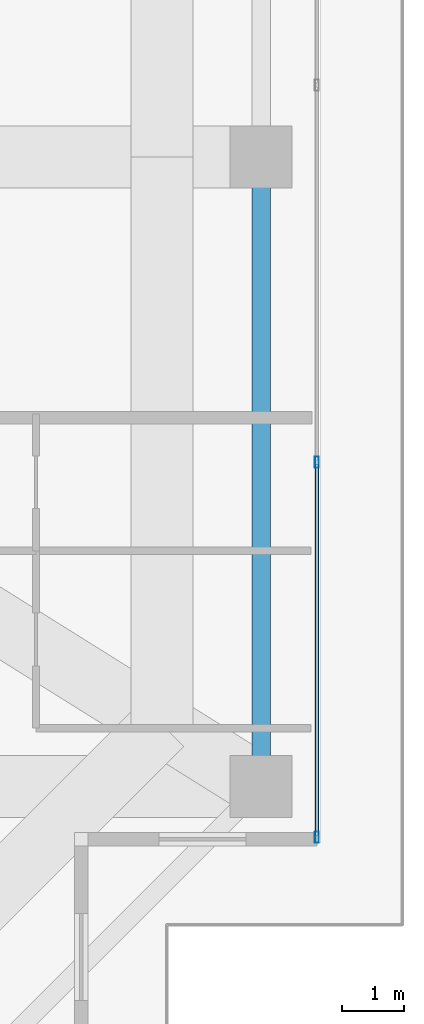
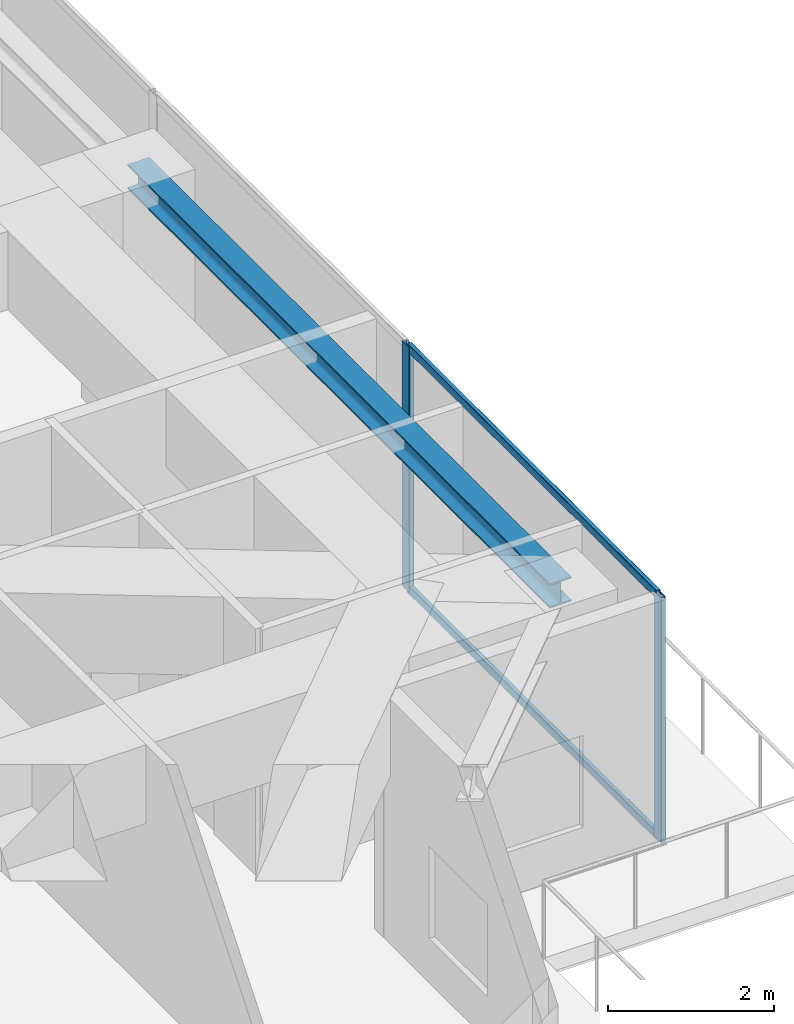
# One storey, part 17 of 40: 4 members, 1 beam, 1 element without a shape of its own.
"""IFC4 building model written with IfcOpenShell, lengths in metres."""

import ifcopenshell
import ifcopenshell.guid

model = None  # the IFC model being written
_history = None  # IfcOwnerHistory: only IFC2X3 demands one
_inside = {}  # id of a spatial element -> (the spatial element, [elements in it])
_under = {}  # id of a project, library or spatial element -> (it, [spatial elements below it])
_declared = {}  # id of a project -> (the project, [libraries it declares])
_typed = {}  # id of a type object -> (the type object, [elements of that type])
_made_of = {}  # id of a material, layer set ... -> (it, [elements and type objects made of it])


def new_model(schema):
    """Start an empty IFC model of exactly this schema.

    Asked for "IFC4X3", IfcOpenShell would pick the latest addendum, in which some entities
    have other attributes; the version numbers below select the first issue.
    IFC2X3 requires an IfcOwnerHistory on every rooted entity: one is made here for all.
    """
    global model, _history
    if schema == "IFC4X3":
        model = ifcopenshell.file(schema_version=(4, 3, 0, 0))
    else:
        model = ifcopenshell.file(schema=schema)
    _inside.clear()
    _under.clear()
    _declared.clear()
    _typed.clear()
    _made_of.clear()
    _history = None
    if model.schema == "IFC2X3":
        org = make("IfcOrganization", Name="unknown")
        user = make(
            "IfcPersonAndOrganization",
            ThePerson=make("IfcPerson", FamilyName="unknown"),
            TheOrganization=org,
        )
        app = make(
            "IfcApplication",
            ApplicationDeveloper=org,
            Version="unknown",
            ApplicationFullName="unknown",
            ApplicationIdentifier="unknown",
        )
        _history = make(
            "IfcOwnerHistory",
            OwningUser=user,
            OwningApplication=app,
            ChangeAction="ADDED",
            CreationDate=0,
        )
    return model


def make(cls, **values):
    """One entity of the class cls with the attributes given. An attribute that is None is left unset."""
    return model.create_entity(
        cls, **{name: value for name, value in values.items() if value is not None}
    )


def rooted(cls, **values):
    """An entity with a GlobalId (a new one), such as an element, a storey or a relation."""
    return make(cls, GlobalId=ifcopenshell.guid.new(), OwnerHistory=_history, **values)


def si_unit(unit_type, name, prefix=None):
    """IfcSIUnit, for example si_unit("LENGTHUNIT", "METRE", prefix="MILLI")."""
    return make("IfcSIUnit", UnitType=unit_type, Prefix=prefix, Name=name)


def assignment(units):
    """IfcUnitAssignment: the units of a project."""
    return None if units is None else make("IfcUnitAssignment", Units=units)


def point(xyz):
    """IfcCartesianPoint."""
    return None if xyz is None else make("IfcCartesianPoint", Coordinates=xyz)


def direction(xyz):
    """IfcDirection."""
    return None if xyz is None else make("IfcDirection", DirectionRatios=xyz)


def frame(location, z_axis=None, x_axis=None):
    """IfcAxis2Placement3D, a coordinate frame: its origin and axes. An axis left out is left unset."""
    return make(
        "IfcAxis2Placement3D",
        Location=point(location),
        Axis=direction(z_axis),
        RefDirection=direction(x_axis),
    )


def frame_2d(location, x_axis=None):
    """IfcAxis2Placement2D, a coordinate frame in the plane: its origin and x axis."""
    return make(
        "IfcAxis2Placement2D", Location=point(location), RefDirection=direction(x_axis)
    )


def origin():
    """The frame at (0, 0, 0) with its axes left unset."""
    return frame((0.0, 0.0, 0.0))


def origin_2d():
    """The frame at (0, 0) in the plane with its x axis left unset."""
    return frame_2d((0.0, 0.0))


def place(relative_to, where):
    """IfcLocalPlacement: puts the frame where relative to a parent placement (None: the world)."""
    return make(
        "IfcLocalPlacement", PlacementRelTo=relative_to, RelativePlacement=where
    )


def context(
    kind, dimensions, precision=None, world=None, true_north=None, identifier=None
):
    """IfcGeometricRepresentationContext, for example the 3D "Model" context."""
    return make(
        "IfcGeometricRepresentationContext",
        ContextIdentifier=identifier,
        ContextType=kind,
        CoordinateSpaceDimension=dimensions,
        Precision=precision,
        WorldCoordinateSystem=world,
        TrueNorth=true_north,
    )


def subcontext(parent, identifier, kind, view, scale=None):
    """IfcGeometricRepresentationSubContext, for example "Body" below "Model"."""
    return make(
        "IfcGeometricRepresentationSubContext",
        ContextIdentifier=identifier,
        ContextType=kind,
        ParentContext=parent,
        TargetScale=scale,
        TargetView=view,
    )


def project(units=None, contexts=None):
    """IfcProject with its units and contexts."""
    return rooted(
        "IfcProject",
        Name="project",
        RepresentationContexts=contexts,
        UnitsInContext=assignment(units),
    )


def spatial(cls, under=None, at=None, **own):
    """A site, building, storey or space (cls), placed at a placement, below another one or the project."""
    s = rooted(cls, ObjectPlacement=at, **own)
    if under is not None:
        _under.setdefault(under.id(), (under, []))[1].append(s)
    return s


def profile(cls, at=None, kind="AREA", **sizes):
    """A parametric profile (cls). Its sizes go by their IFC names, for example OverallWidth=200.0."""
    return make(cls, ProfileType=kind, Position=at, **sizes)


def hollow_rectangle(**sizes):
    """IfcRectangleHollowProfileDef."""
    return profile("IfcRectangleHollowProfileDef", **sizes)


def i_section(**sizes):
    """IfcIShapeProfileDef."""
    return profile("IfcIShapeProfileDef", **sizes)


def extrude(swept, where, along, depth):
    """IfcExtrudedAreaSolid: the profile swept, set in the frame where, extruded along a direction by depth."""
    return make(
        "IfcExtrudedAreaSolid",
        SweptArea=swept,
        Position=where,
        ExtrudedDirection=direction(along),
        Depth=depth,
    )


def shape(context_of_items, identifier, shape_type, items):
    """IfcShapeRepresentation: the items that make up one representation, for example the "Body"."""
    return make(
        "IfcShapeRepresentation",
        ContextOfItems=context_of_items,
        RepresentationIdentifier=identifier,
        RepresentationType=shape_type,
        Items=items,
    )


def source(mapping_origin, context_of_items, identifier, shape_type, items):
    """IfcRepresentationMap: a shape defined once, which mapped items show again and again."""
    return make(
        "IfcRepresentationMap",
        MappingOrigin=mapping_origin,
        MappedRepresentation=shape(context_of_items, identifier, shape_type, items),
    )


def transform(
    local_origin,
    x_axis=None,
    y_axis=None,
    z_axis=None,
    scale=None,
    scale2=None,
    scale3=None,
    uniform=True,
):
    """IfcCartesianTransformationOperator3D, or its non-uniform kind. x_axis, y_axis, z_axis: its Axis1, 2, 3."""
    if uniform:
        return make(
            "IfcCartesianTransformationOperator3D",
            Axis1=direction(x_axis),
            Axis2=direction(y_axis),
            LocalOrigin=point(local_origin),
            Scale=scale,
            Axis3=direction(z_axis),
        )
    return make(
        "IfcCartesianTransformationOperator3DnonUniform",
        Axis1=direction(x_axis),
        Axis2=direction(y_axis),
        LocalOrigin=point(local_origin),
        Scale=scale,
        Axis3=direction(z_axis),
        Scale2=scale2,
        Scale3=scale3,
    )


def mapped(mapping_source, mapping_target):
    """IfcMappedItem: shows the shape of a source again, moved by a transform."""
    return make(
        "IfcMappedItem", MappingSource=mapping_source, MappingTarget=mapping_target
    )


def material(Name=None, Category=None):
    """IfcMaterial."""
    return make("IfcMaterial", Name=Name, Category=Category)


def layer(
    of_material, thickness, ventilated=None, Name=None, Category=None, Priority=None
):
    """IfcMaterialLayer: one layer of a wall or slab, of a material (None: an air gap)."""
    return make(
        "IfcMaterialLayer",
        Material=of_material,
        LayerThickness=thickness,
        IsVentilated=ventilated,
        Name=Name,
        Category=Category,
        Priority=Priority,
    )


def layer_set(layers, Name=None):
    """IfcMaterialLayerSet."""
    return make("IfcMaterialLayerSet", MaterialLayers=layers, LayerSetName=Name)


def material_profile(
    of_material, cross_section, Name=None, Category=None, Priority=None
):
    """IfcMaterialProfile: a cross section and its material."""
    return make(
        "IfcMaterialProfile",
        Name=Name,
        Material=of_material,
        Profile=cross_section,
        Priority=Priority,
        Category=Category,
    )


def profile_set(profiles, Name=None, composite=None):
    """IfcMaterialProfileSet."""
    return make(
        "IfcMaterialProfileSet",
        Name=Name,
        MaterialProfiles=profiles,
        CompositeProfile=composite,
    )


def made_of(thing, what):
    """Note that an element or type object is made of a material, layer set ...; save() writes the relation."""
    if what is not None:
        _made_of.setdefault(what.id(), (what, []))[1].append(thing)
    return thing


def type_object(cls, material=None, **own):
    """A type object (cls), such as IfcWallType, which elements share."""
    return made_of(rooted(cls, **own), material)


def element(
    cls,
    number,
    at=None,
    inside=None,
    cuts=None,
    type_object=None,
    material=None,
    context=None,
    identifier="Body",
    shape_type=None,
    held_by="IfcProductDefinitionShape",
    body=None,
    shapes=None,
    **own,
):
    """One element of the class cls, such as IfcWall. Its Tag is "e" and its number.

    at: its placement. inside: the storey or other place that contains it. cuts: it is an
    opening in that element (IfcRelVoidsElement). A single representation is given by context,
    identifier, shape_type and body (its items); several are given by shapes. held_by: the class
    of the entity that holds the representations. save() writes the other relations.
    """
    e = rooted(cls, Tag="e%d" % number, ObjectPlacement=at, **own)
    if body is not None:
        shapes = [shape(context, identifier, shape_type, body)]
    if shapes is not None:
        e.Representation = make(held_by, Representations=shapes)
    if inside is not None:
        _inside.setdefault(inside.id(), (inside, []))[1].append(e)
    if cuts is not None:
        rooted(
            "IfcRelVoidsElement", RelatingBuildingElement=cuts, RelatedOpeningElement=e
        )
    if type_object is not None:
        _typed.setdefault(type_object.id(), (type_object, []))[1].append(e)
    return made_of(e, material)


def aggregate(whole, parts):
    """IfcRelAggregates: a whole, such as a stair, and the parts it consists of."""
    return rooted("IfcRelAggregates", RelatingObject=whole, RelatedObjects=parts)


def save(model, path):
    """Write the relations noted so far, then the file.

    IfcRelAggregates (storeys below a building ...), IfcRelContainedInSpatialStructure (elements
    in a storey), IfcRelDefinesByType, IfcRelAssociatesMaterial and IfcRelDeclares: one each for
    every whole, place, type object, material and project.
    """
    for whole, parts in _under.values():
        aggregate(whole, parts)
    for where, things in _inside.values():
        rooted(
            "IfcRelContainedInSpatialStructure",
            RelatedElements=things,
            RelatingStructure=where,
        )
    for kind, things in _typed.values():
        rooted("IfcRelDefinesByType", RelatedObjects=things, RelatingType=kind)
    for what, things in _made_of.values():
        rooted("IfcRelAssociatesMaterial", RelatedObjects=things, RelatingMaterial=what)
    for by, libraries in _declared.values():
        rooted("IfcRelDeclares", RelatingContext=by, RelatedDefinitions=libraries)
    model.write(path)


model = new_model("IFC4")

# Units and contexts
model_context = context("Model", 3, precision=1e-05, world=origin(), true_north=direction((0.0, 1.0)))
body_context = subcontext(model_context, "Body", "Model", "MODEL_VIEW")
ifc_project = project(units=[si_unit("LENGTHUNIT", "METRE"), si_unit("AREAUNIT", "SQUARE_METRE"), si_unit("VOLUMEUNIT", "CUBIC_METRE"), si_unit("PLANEANGLEUNIT", "RADIAN"), si_unit("MASSUNIT", "GRAM", prefix="KILO")], contexts=[model_context])

# Site, building, storey
site_placement = place(None, origin())
site = spatial("IfcSite", under=ifc_project, at=site_placement, CompositionType="ELEMENT")
building_placement = place(site_placement, origin())
building = spatial("IfcBuilding", under=site, at=building_placement, Name="Serunith Strait Residences", CompositionType="ELEMENT")
storey_placement = place(building_placement, frame((0.0, 0.0, 333.949951171875)))
storey = spatial("IfcBuildingStorey", under=building, at=storey_placement, Name="L83", CompositionType="ELEMENT", Elevation=333.949951171875)

# Beam
ifc_material_1 = material(Name="Steel S355J2", Category="steel")
ifc_material_profile_1 = material_profile(ifc_material_1, i_section(OverallWidth=0.300048828125, OverallDepth=0.360107421875, WebThickness=0.012451171875, FlangeThickness=0.0224609375, FilletRadius=0.027099609375, at=origin_2d()), Name="HEB 360")
ifc_profile_set_1 = profile_set([ifc_material_profile_1], Name="Steel S355J2")
beam_type = type_object("IfcBeamType", Name="BM-HEB360", PredefinedType="BEAM", material=ifc_profile_set_1)
shared_shape_1 = source(origin(), body_context, "Body", "SweptSolid", [
    extrude(i_section(OverallWidth=0.300048828125, OverallDepth=0.360107421875, WebThickness=0.012451171875, FlangeThickness=0.0224609375, FilletRadius=0.027099609375, at=origin_2d()), origin(), (0.0, 0.0, 1.0), 10.14990234375),
])
beam_placement = place(storey_placement, frame((54.699951171875, 10.85009765625, 3.427001953125), z_axis=(0.0, 1.0, 0.0), x_axis=(-1.0, 0.0, 0.0)))
element("IfcBeam", 1, at=beam_placement, inside=storey, type_object=beam_type, Name="L83 Perimeter Ring Beam 05", PredefinedType="BEAM", context=body_context, shape_type="MappedRepresentation", body=[
    mapped(shared_shape_1, transform((0.0, 0.0, 0.0), scale=1.0)),
])

# Curtain wall, members
ifc_material_2 = material(Name="Brushed Stainless-Silver Aluminium", Category="aluminium")
ifc_layer = layer(ifc_material_2, 0.199951171875, Name="Brushed Stainless-Silver Aluminium")
ifc_layer_set = layer_set([ifc_layer], Name="Brushed Stainless-Silver Aluminium")
curtain_wall_type = type_object("IfcCurtainWallType", Name="CW-SYS5", PredefinedType="NOTDEFINED", material=ifc_layer_set)
curtain_wall_placement = place(storey_placement, origin())
curtain_wall = element("IfcCurtainWall", 2, at=curtain_wall_placement, inside=storey, type_object=curtain_wall_type, Name="L83 E Unitised Fritted Curtain Wall", PredefinedType="NOTDEFINED")
ifc_material_profile_2 = material_profile(ifc_material_2, hollow_rectangle(XDim=0.06005859375, YDim=0.1201171875, WallThickness=0.00341796875, InnerFilletRadius=0.00537109375, OuterFilletRadius=0.0087890625, at=origin_2d()), Name="ALU 120x60x3.5")
ifc_profile_set_2 = profile_set([ifc_material_profile_2], Name="Brushed Stainless-Silver Aluminium")
member_type_1 = type_object("IfcMemberType", Name="CW-SYS5-TRAN", PredefinedType="USERDEFINED", material=ifc_profile_set_2)
shared_shape_2 = source(origin(), body_context, "Body", "SweptSolid", [
    extrude(hollow_rectangle(XDim=0.06005859375, YDim=0.1201171875, WallThickness=0.00341796875, InnerFilletRadius=0.00537109375, OuterFilletRadius=0.0087890625, at=origin_2d()), origin(), (0.0, 0.0, 1.0), 5.982666015625),
])
member_1_placement = place(storey_placement, frame((55.60009765625, 10.06494140625, 0.030029296875), z_axis=(0.0, 1.0, 0.0), x_axis=(-1.0, 0.0, 0.0)))
member_1 = element("IfcMember", 3, at=member_1_placement, type_object=member_type_1, Name="CW-5 transom 1.1", ObjectType="TRANSOM", PredefinedType="USERDEFINED", context=body_context, shape_type="MappedRepresentation", body=[
    mapped(shared_shape_2, transform((0.0, 0.0, 0.0), scale=1.0)),
])
member_2_placement = place(storey_placement, frame((55.60009765625, 10.06494140625, 3.56494140625), z_axis=(0.0, 1.0, 0.0), x_axis=(-1.0, 0.0, 0.0)))
member_2 = element("IfcMember", 4, at=member_2_placement, type_object=member_type_1, Name="CW-5 transom 1.2", ObjectType="TRANSOM", PredefinedType="USERDEFINED", context=body_context, shape_type="MappedRepresentation", body=[
    mapped(shared_shape_2, transform((0.0, 0.0, 0.0), scale=1.0)),
])
ifc_material_profile_3 = material_profile(ifc_material_2, hollow_rectangle(XDim=0.06494140625, YDim=0.179931640625, WallThickness=0.00341796875, InnerFilletRadius=0.00537109375, OuterFilletRadius=0.0087890625, at=origin_2d()), Name="ALU 180x65x3.5")
ifc_profile_set_3 = profile_set([ifc_material_profile_3], Name="Brushed Stainless-Silver Aluminium")
member_type_2 = type_object("IfcMemberType", Name="CW-SYS5-MULL", PredefinedType="MULLION", material=ifc_profile_set_3)
shared_shape_3 = source(origin(), body_context, "Body", "SweptSolid", [
    extrude(hollow_rectangle(XDim=0.06494140625, YDim=0.179931640625, WallThickness=0.00341796875, InnerFilletRadius=0.00537109375, OuterFilletRadius=0.0087890625, at=origin_2d()), origin(), (0.0, 0.0, 1.0), 3.594970703125),
])
member_3_placement = place(storey_placement, frame((55.60009765625, 10.032470703125, 0.0), z_axis=(0.0, 0.0, 1.0), x_axis=(-1.0, 0.0, 0.0)))
member_3 = element("IfcMember", 5, at=member_3_placement, type_object=member_type_2, Name="CW-5 mullion 1", PredefinedType="MULLION", context=body_context, shape_type="MappedRepresentation", body=[
    mapped(shared_shape_3, transform((0.0, 0.0, 0.0), scale=1.0)),
])
member_4_placement = place(storey_placement, frame((55.60009765625, 16.080078125, 0.0), z_axis=(0.0, 0.0, 1.0), x_axis=(-1.0, 0.0, 0.0)))
member_4 = element("IfcMember", 6, at=member_4_placement, type_object=member_type_2, Name="CW-5 mullion 2", PredefinedType="MULLION", context=body_context, shape_type="MappedRepresentation", body=[
    mapped(shared_shape_3, transform((0.0, 0.0, 0.0), scale=1.0)),
])
aggregate(curtain_wall, [member_3, member_4, member_1, member_2])

save(model, "model.ifc")
